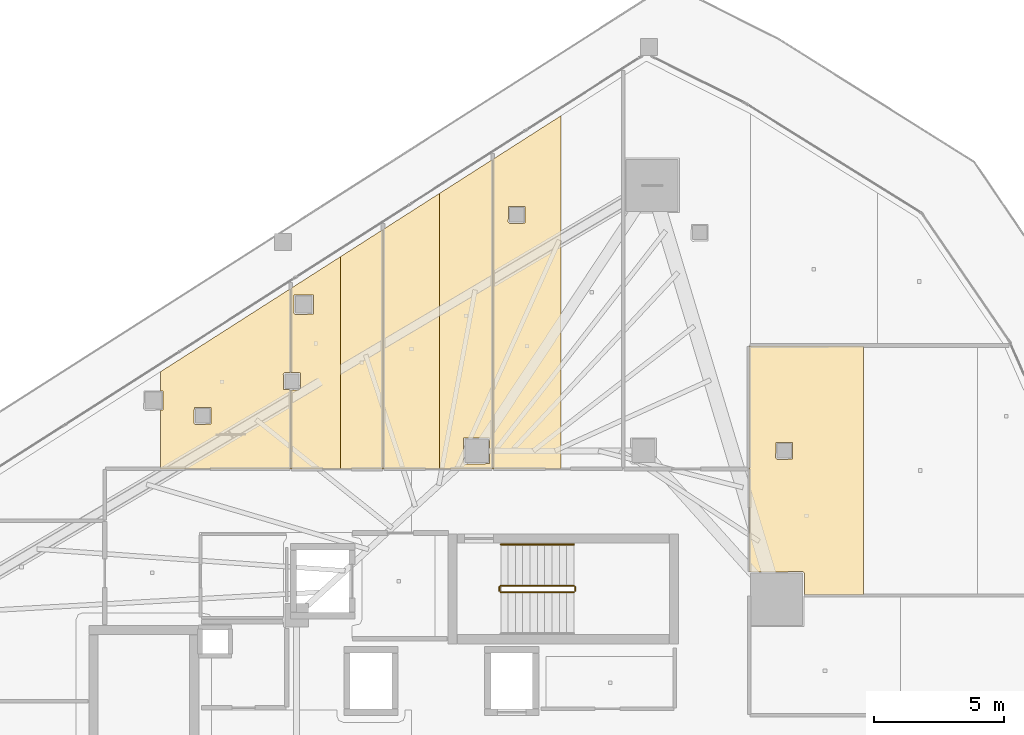
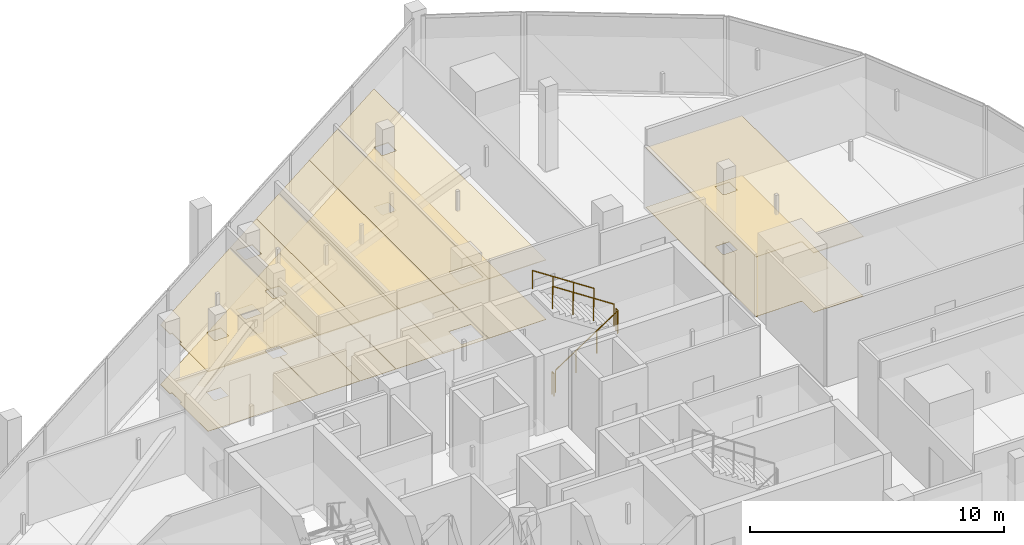
# One storey, part 42 of 43: 14 coverings, 5 railings.
"""IFC4 building model written with IfcOpenShell, lengths in metres."""

from ifc_helpers import new_model, si_unit, direction, frame, origin, origin_2d, place, context, subcontext, project, spatial, polyline, circle, outline, extrude, material, layer, layer_set, type_object, element, save


model = new_model("IFC4")

# Units and contexts
model_context = context("Model", 3, precision=1e-05, world=origin(), true_north=direction((0.0, 1.0)))
body_context = subcontext(model_context, "Body", "Model", "MODEL_VIEW")
ifc_project = project(units=[si_unit("LENGTHUNIT", "METRE"), si_unit("AREAUNIT", "SQUARE_METRE"), si_unit("VOLUMEUNIT", "CUBIC_METRE"), si_unit("PLANEANGLEUNIT", "RADIAN"), si_unit("MASSUNIT", "GRAM", prefix="KILO")], contexts=[model_context])

# Site, building, storey
site_placement = place(None, origin())
site = spatial("IfcSite", under=ifc_project, at=site_placement, CompositionType="ELEMENT")
building_placement = place(site_placement, origin())
building = spatial("IfcBuilding", under=site, at=building_placement, Name="Qorvath Tower", CompositionType="ELEMENT")
storey_placement = place(building_placement, frame((0.0, 0.0, 213.14990234375)))
storey = spatial("IfcBuildingStorey", under=building, at=storey_placement, Name="L49", CompositionType="ELEMENT", Elevation=213.14990234375)

# Coverings
ifc_material_1 = material(Name="Acoustic mineral fibre ceiling tile", Category="gypsum")
ifc_layer_1 = layer(ifc_material_1, 0.030029296875)
ifc_layer_set_1 = layer_set([ifc_layer_1], Name="COV-CEIL")
covering_type_1 = type_object("IfcCoveringType", Name="COV-CEIL", PredefinedType="CEILING", material=ifc_layer_set_1)
covering_1_placement = place(storey_placement, frame((0.0, 0.0, 2.85009765625)))
element("IfcCovering", 1, at=covering_1_placement, inside=storey, type_object=covering_type_1, Name="L49 Suspended Acoustic Ceiling 013", PredefinedType="CEILING", context=body_context, shape_type="SweptSolid", body=[
    extrude(outline(polyline([(-30.72607421875, 14.459228515625), (-30.72607421875, 17.6728515625), (-35.715087890625, 14.484130859375), (-35.715087890625, 13.748291015625), (-35.61328125, 13.748291015625), (-35.61328125, 13.013427734375), (-35.715087890625, 13.010986328125), (-35.715087890625, 10.762939453125), (-30.72607421875, 10.762939453125), (-30.72607421875, 13.789306640625), (-30.99462890625, 13.806884765625), (-31.01220703125, 14.3994140625), (-30.9521484375, 14.459228515625), (-30.72607421875, 14.459228515625)]), holes=[polyline([(-34.439208984375, 12.517578125), (-34.421630859375, 13.10986328125), (-33.786865234375, 13.10986328125), (-33.786865234375, 12.47509765625), (-34.379150390625, 12.45751953125), (-34.439208984375, 12.517578125)])]), origin(), (0.0, 0.0, 1.0), 0.030029296875),
])
covering_2_placement = place(storey_placement, frame((0.0, 0.0, 2.85009765625)))
element("IfcCovering", 2, at=covering_2_placement, inside=storey, type_object=covering_type_1, Name="L49 Suspended Acoustic Ceiling 014", PredefinedType="CEILING", context=body_context, shape_type="SweptSolid", body=[
    extrude(outline(polyline([(-28.82373046875, 10.762939453125), (-28.82373046875, 18.888671875), (-30.7080078125, 17.684326171875), (-30.7080078125, 14.459228515625), (-30.35986328125, 14.441650390625), (-30.34228515625, 13.849365234375), (-30.402099609375, 13.789306640625), (-30.7080078125, 13.789306640625), (-30.7080078125, 10.762939453125), (-28.82373046875, 10.762939453125)]), holes=[polyline([(-30.60986328125, 16.734619140625), (-30.59228515625, 17.427001953125), (-29.857421875, 17.427001953125), (-29.857421875, 16.692138671875), (-30.5498046875, 16.674560546875), (-30.60986328125, 16.734619140625)])]), origin(), (0.0, 0.0, 1.0), 0.030029296875),
])
covering_3_placement = place(storey_placement, frame((0.0, 0.0, 2.85009765625)))
element("IfcCovering", 3, at=covering_3_placement, inside=storey, type_object=covering_type_1, Name="L49 Suspended Acoustic Ceiling 015", PredefinedType="CEILING", context=body_context, shape_type="SweptSolid", body=[
    extrude(outline(polyline([(-27.186767578125, 19.934814453125), (-28.82373046875, 18.888671875), (-28.82373046875, 10.762939453125), (-27.186767578125, 10.762939453125), (-27.186767578125, 19.934814453125)])), origin(), (0.0, 0.0, 1.0), 0.030029296875),
])
covering_4_placement = place(storey_placement, frame((0.0, 0.0, 2.85009765625)))
element("IfcCovering", 4, at=covering_4_placement, inside=storey, type_object=covering_type_1, Name="L49 Suspended Acoustic Ceiling 016", PredefinedType="CEILING", context=body_context, shape_type="SweptSolid", body=[
    extrude(outline(polyline([(-27.168701171875, 10.762939453125), (-25.0205078125, 10.762939453125), (-25.0205078125, 21.319580078125), (-27.168701171875, 19.9462890625), (-27.168701171875, 10.762939453125)])), origin(), (0.0, 0.0, 1.0), 0.030029296875),
])
covering_5_placement = place(storey_placement, frame((0.0, 0.0, 2.85009765625)))
element("IfcCovering", 5, at=covering_5_placement, inside=storey, type_object=covering_type_1, Name="L49 Suspended Acoustic Ceiling 017", PredefinedType="CEILING", context=body_context, shape_type="SweptSolid", body=[
    extrude(outline(polyline([(-25.0205078125, 21.319580078125), (-25.0205078125, 10.762939453125), (-22.98583984375, 10.762939453125), (-22.98583984375, 22.619873046875), (-25.0205078125, 21.319580078125)]), holes=[polyline([(-24.110107421875, 11.0), (-24.092529296875, 11.9423828125), (-23.107666015625, 11.9423828125), (-23.107666015625, 10.95751953125), (-24.050048828125, 10.93994140625), (-24.110107421875, 11.0)])]), origin(), (0.0, 0.0, 1.0), 0.030029296875),
])
covering_6_placement = place(storey_placement, frame((0.0, 0.0, 2.85009765625)))
element("IfcCovering", 6, at=covering_6_placement, inside=storey, type_object=covering_type_1, Name="L49 Suspended Acoustic Ceiling 018", PredefinedType="CEILING", context=body_context, shape_type="SweptSolid", body=[
    extrude(outline(polyline([(-22.9677734375, 10.762939453125), (-20.368408203125, 10.762939453125), (-20.368408203125, 24.292724609375), (-22.9677734375, 22.63134765625), (-22.9677734375, 10.762939453125)]), holes=[polyline([(-22.38818359375, 20.219970703125), (-22.37060546875, 20.812255859375), (-21.73583984375, 20.812255859375), (-21.73583984375, 20.177490234375), (-22.328125, 20.159912109375), (-22.38818359375, 20.219970703125)])]), origin(), (0.0, 0.0, 1.0), 0.030029296875),
])
covering_7_placement = place(storey_placement, frame((0.0, 0.0, 2.85009765625)))
element("IfcCovering", 7, at=covering_7_placement, inside=storey, type_object=covering_type_1, Name="L49 Suspended Acoustic Ceiling 040", PredefinedType="CEILING", context=body_context, shape_type="SweptSolid", body=[
    extrude(outline(polyline([(-11.036865234375, 6.7578125), (-11.036865234375, 5.91845703125), (-8.768310546875, 5.91845703125), (-8.768310546875, 15.470703125), (-13.136962890625, 15.465087890625), (-13.129638671875, 6.80419921875), (-11.0966796875, 6.81787109375), (-11.036865234375, 6.7578125)]), holes=[polyline([(-12.135009765625, 11.175048828125), (-12.117431640625, 11.767333984375), (-11.482666015625, 11.767333984375), (-11.482666015625, 11.132568359375), (-12.074951171875, 11.114990234375), (-12.135009765625, 11.175048828125)])]), origin(), (0.0, 0.0, 1.0), 0.030029296875),
])
ifc_material_2 = material(Name="Low-VOC modular carpet tile", Category="textile")
ifc_layer_2 = layer(ifc_material_2, 0.014892578125)
ifc_layer_set_2 = layer_set([ifc_layer_2], Name="COV-FLOOR-CPT")
covering_type_2 = type_object("IfcCoveringType", Name="COV-FLOOR-CPT", PredefinedType="FLOORING", material=ifc_layer_set_2)
covering_8_placement = place(storey_placement, origin())
element("IfcCovering", 8, at=covering_8_placement, inside=storey, type_object=covering_type_2, Name="L49 Floor Finish 013", PredefinedType="FLOORING", context=body_context, shape_type="SweptSolid", body=[
    extrude(outline(polyline([(-30.72607421875, 14.459228515625), (-30.72607421875, 17.6728515625), (-35.715087890625, 14.484130859375), (-35.715087890625, 13.748291015625), (-35.61328125, 13.748291015625), (-35.61328125, 13.013427734375), (-35.715087890625, 13.010986328125), (-35.715087890625, 10.762939453125), (-30.72607421875, 10.762939453125), (-30.72607421875, 13.789306640625), (-30.99462890625, 13.806884765625), (-31.01220703125, 14.3994140625), (-30.9521484375, 14.459228515625), (-30.72607421875, 14.459228515625)]), holes=[polyline([(-34.439208984375, 12.517578125), (-34.421630859375, 13.10986328125), (-33.786865234375, 13.10986328125), (-33.786865234375, 12.47509765625), (-34.379150390625, 12.45751953125), (-34.439208984375, 12.517578125)])]), origin(), (0.0, 0.0, 1.0), 0.01513671875),
])
covering_9_placement = place(storey_placement, origin())
element("IfcCovering", 9, at=covering_9_placement, inside=storey, type_object=covering_type_2, Name="L49 Floor Finish 014", PredefinedType="FLOORING", context=body_context, shape_type="SweptSolid", body=[
    extrude(outline(polyline([(-28.82373046875, 10.762939453125), (-28.82373046875, 18.888671875), (-30.7080078125, 17.684326171875), (-30.7080078125, 14.459228515625), (-30.35986328125, 14.441650390625), (-30.34228515625, 13.849365234375), (-30.402099609375, 13.789306640625), (-30.7080078125, 13.789306640625), (-30.7080078125, 10.762939453125), (-28.82373046875, 10.762939453125)]), holes=[polyline([(-30.60986328125, 16.734619140625), (-30.59228515625, 17.427001953125), (-29.857421875, 17.427001953125), (-29.857421875, 16.692138671875), (-30.5498046875, 16.674560546875), (-30.60986328125, 16.734619140625)])]), origin(), (0.0, 0.0, 1.0), 0.01513671875),
])
covering_10_placement = place(storey_placement, origin())
element("IfcCovering", 10, at=covering_10_placement, inside=storey, type_object=covering_type_2, Name="L49 Floor Finish 015", PredefinedType="FLOORING", context=body_context, shape_type="SweptSolid", body=[
    extrude(outline(polyline([(-27.186767578125, 19.934814453125), (-28.82373046875, 18.888671875), (-28.82373046875, 10.762939453125), (-27.186767578125, 10.762939453125), (-27.186767578125, 19.934814453125)])), origin(), (0.0, 0.0, 1.0), 0.01513671875),
])
covering_11_placement = place(storey_placement, origin())
element("IfcCovering", 11, at=covering_11_placement, inside=storey, type_object=covering_type_2, Name="L49 Floor Finish 016", PredefinedType="FLOORING", context=body_context, shape_type="SweptSolid", body=[
    extrude(outline(polyline([(-27.168701171875, 10.762939453125), (-25.0205078125, 10.762939453125), (-25.0205078125, 21.319580078125), (-27.168701171875, 19.9462890625), (-27.168701171875, 10.762939453125)])), origin(), (0.0, 0.0, 1.0), 0.01513671875),
])
covering_12_placement = place(storey_placement, origin())
element("IfcCovering", 12, at=covering_12_placement, inside=storey, type_object=covering_type_2, Name="L49 Floor Finish 017", PredefinedType="FLOORING", context=body_context, shape_type="SweptSolid", body=[
    extrude(outline(polyline([(-25.0205078125, 21.319580078125), (-25.0205078125, 10.762939453125), (-22.98583984375, 10.762939453125), (-22.98583984375, 22.619873046875), (-25.0205078125, 21.319580078125)]), holes=[polyline([(-24.110107421875, 11.0), (-24.092529296875, 11.9423828125), (-23.107666015625, 11.9423828125), (-23.107666015625, 10.95751953125), (-24.050048828125, 10.93994140625), (-24.110107421875, 11.0)])]), origin(), (0.0, 0.0, 1.0), 0.01513671875),
])
covering_13_placement = place(storey_placement, origin())
element("IfcCovering", 13, at=covering_13_placement, inside=storey, type_object=covering_type_2, Name="L49 Floor Finish 018", PredefinedType="FLOORING", context=body_context, shape_type="SweptSolid", body=[
    extrude(outline(polyline([(-22.9677734375, 10.762939453125), (-20.368408203125, 10.762939453125), (-20.368408203125, 24.292724609375), (-22.9677734375, 22.63134765625), (-22.9677734375, 10.762939453125)]), holes=[polyline([(-22.38818359375, 20.219970703125), (-22.37060546875, 20.812255859375), (-21.73583984375, 20.812255859375), (-21.73583984375, 20.177490234375), (-22.328125, 20.159912109375), (-22.38818359375, 20.219970703125)])]), origin(), (0.0, 0.0, 1.0), 0.01513671875),
])
covering_14_placement = place(storey_placement, origin())
element("IfcCovering", 14, at=covering_14_placement, inside=storey, type_object=covering_type_2, Name="L49 Floor Finish 040", PredefinedType="FLOORING", context=body_context, shape_type="SweptSolid", body=[
    extrude(outline(polyline([(-11.036865234375, 6.7578125), (-11.036865234375, 5.91845703125), (-8.768310546875, 5.91845703125), (-8.768310546875, 15.470703125), (-13.136962890625, 15.465087890625), (-13.129638671875, 6.80419921875), (-11.0966796875, 6.81787109375), (-11.036865234375, 6.7578125)]), holes=[polyline([(-12.135009765625, 11.175048828125), (-12.117431640625, 11.767333984375), (-11.482666015625, 11.767333984375), (-11.482666015625, 11.132568359375), (-12.074951171875, 11.114990234375), (-12.135009765625, 11.175048828125)])]), origin(), (0.0, 0.0, 1.0), 0.01513671875),
])

# Railings
ifc_material_3 = material(Name="Painted galvanised steel", Category="steel")
railing_type_1 = type_object("IfcRailingType", Name="RL-STR-GRD", PredefinedType="GUARDRAIL", material=ifc_material_3)
railing_1_placement = place(storey_placement, frame((-22.669921875, 6.030029296875, 0.18408203125)))
element("IfcRailing", 15, at=railing_1_placement, inside=storey, type_object=railing_type_1, Name="L49 TS1 stair guard 1", PredefinedType="GUARDRAIL", context=body_context, shape_type="SweptSolid", body=[
    extrude(circle(Radius=0.02392578125, at=origin_2d()), frame((0.0, 0.0, 1.076171875), z_axis=(0.835542071712, 0.0, 0.549426470421), x_axis=(0.0, 1.0, 0.0)), (0.0, 0.0, 1.0), 3.350830078125),
    extrude(circle(Radius=0.02099609375, at=origin_2d()), origin(), (0.0, 0.0, 1.0), 1.052001953125),
    extrude(circle(Radius=0.02099609375, at=origin_2d()), frame((0.933349609375, 0.0, 0.61376953125)), (0.0, 0.0, 1.0), 1.052001953125),
    extrude(circle(Radius=0.02099609375, at=origin_2d()), frame((1.866455078125, 0.0, 1.227294921875)), (0.0, 0.0, 1.0), 1.052001953125),
    extrude(circle(Radius=0.02099609375, at=origin_2d()), frame((2.7998046875, 0.0, 1.841064453125)), (0.0, 0.0, 1.0), 1.052001953125),
])
railing_2_placement = place(storey_placement, frame((-19.820068359375, 6.080078125, 2.025146484375)))
element("IfcRailing", 16, at=railing_2_placement, inside=storey, type_object=railing_type_1, Name="L49 TS1 stair guard 2", PredefinedType="GUARDRAIL", context=body_context, shape_type="SweptSolid", body=[
    extrude(circle(Radius=0.02392578125, at=origin_2d()), frame((0.0, 0.0, 1.076171875), z_axis=(0.0, 1.0, 0.0), x_axis=(-1.0, 0.0, 0.0)), (0.0, 0.0, 1.0), 0.14990234375),
    extrude(circle(Radius=0.02099609375, at=origin_2d()), origin(), (0.0, 0.0, 1.0), 1.052001953125),
    extrude(circle(Radius=0.02099609375, at=origin_2d()), frame((0.0, 0.14990234375, 0.0)), (0.0, 0.0, 1.0), 1.052001953125),
])
railing_3_placement = place(storey_placement, frame((-19.8701171875, 6.280029296875, 2.209228515625)))
element("IfcRailing", 17, at=railing_3_placement, inside=storey, type_object=railing_type_1, Name="L49 TS1 stair guard 3", PredefinedType="GUARDRAIL", context=body_context, shape_type="SweptSolid", body=[
    extrude(circle(Radius=0.02392578125, at=origin_2d()), frame((0.0, 0.0, 1.076171875), z_axis=(-0.835575518608, 0.0, 0.549375602573), x_axis=(0.0, -1.0, 0.0)), (0.0, 0.0, 1.0), 3.350830078125),
    extrude(circle(Radius=0.02099609375, at=origin_2d()), origin(), (0.0, 0.0, 1.0), 1.052001953125),
    extrude(circle(Radius=0.02099609375, at=origin_2d()), frame((-0.933349609375, 0.0, 0.613525390625)), (0.0, 0.0, 1.0), 1.052001953125),
    extrude(circle(Radius=0.02099609375, at=origin_2d()), frame((-1.866455078125, 0.0, 1.227294921875)), (0.0, 0.0, 1.0), 1.052001953125),
    extrude(circle(Radius=0.02099609375, at=origin_2d()), frame((-2.7998046875, 0.0, 1.8408203125)), (0.0, 0.0, 1.0), 1.052001953125),
])
railing_4_placement = place(storey_placement, frame((-22.719970703125, 6.080078125, 0.0)))
element("IfcRailing", 18, at=railing_4_placement, inside=storey, type_object=railing_type_1, Name="L49 TS1 stair guard 4", PredefinedType="GUARDRAIL", context=body_context, shape_type="SweptSolid", body=[
    extrude(circle(Radius=0.02392578125, at=origin_2d()), frame((0.0, 0.0, 1.076171875), z_axis=(0.0, 1.0, 0.0), x_axis=(-1.0, 0.0, 0.0)), (0.0, 0.0, 1.0), 0.14990234375),
    extrude(circle(Radius=0.02099609375, at=origin_2d()), origin(), (0.0, 0.0, 1.0), 1.052001953125),
    extrude(circle(Radius=0.02099609375, at=origin_2d()), frame((0.0, 0.14990234375, 0.0)), (0.0, 0.0, 1.0), 1.052001953125),
])
ifc_material_4 = material(Name="Brushed stainless steel AISI 304", Category="steel")
railing_type_2 = type_object("IfcRailingType", Name="RL-STR-HND", PredefinedType="HANDRAIL", material=ifc_material_4)
railing_5_placement = place(storey_placement, frame((-19.8701171875, 7.860107421875, 2.209228515625)))
element("IfcRailing", 19, at=railing_5_placement, inside=storey, type_object=railing_type_2, Name="L49 TS1 stair handrail 2", PredefinedType="HANDRAIL", context=body_context, shape_type="SweptSolid", body=[
    extrude(circle(Radius=0.02392578125, at=origin_2d()), frame((0.0, 0.0, 0.8759765625), z_axis=(-0.835575518608, 0.0, 0.549375602573), x_axis=(0.0, -1.0, 0.0)), (0.0, 0.0, 1.0), 3.350830078125),
    extrude(circle(Radius=0.02099609375, at=origin_2d()), origin(), (0.0, 0.0, 1.0), 0.851806640625),
    extrude(circle(Radius=0.02099609375, at=origin_2d()), frame((-0.933349609375, 0.0, 0.613525390625)), (0.0, 0.0, 1.0), 0.851806640625),
    extrude(circle(Radius=0.02099609375, at=origin_2d()), frame((-1.866455078125, 0.0, 1.227294921875)), (0.0, 0.0, 1.0), 0.851806640625),
    extrude(circle(Radius=0.02099609375, at=origin_2d()), frame((-2.7998046875, 0.0, 1.8408203125)), (0.0, 0.0, 1.0), 0.851806640625),
])

save(model, "model.ifc")
